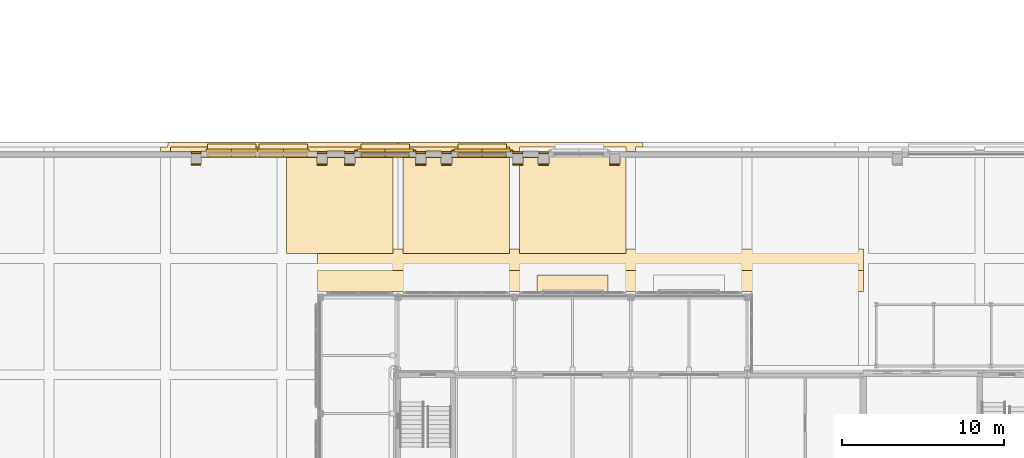
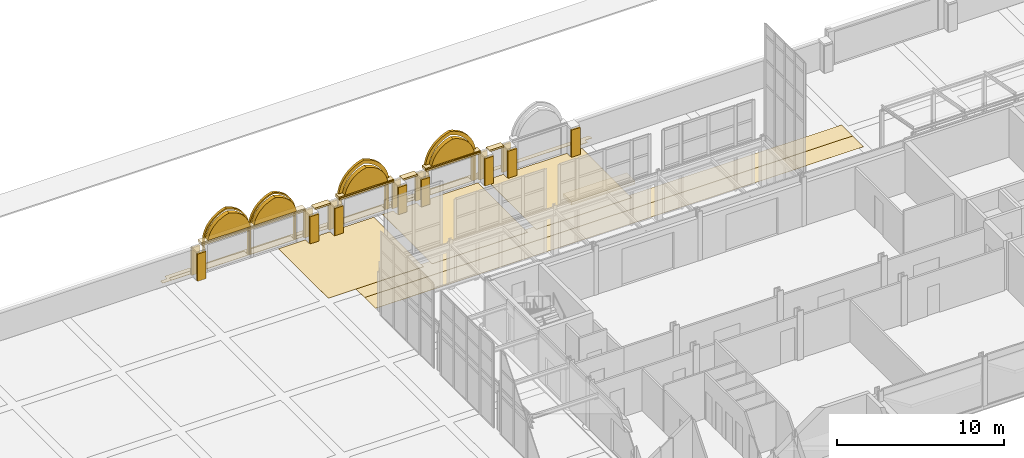
# One storey, part 131 of 143: 47 coverings.
"""IFC4 building model written with IfcOpenShell, lengths in metres."""

from ifc_helpers import new_model, si_unit, direction, frame, origin, origin_2d, place, context, subcontext, project, spatial, polyline, rectangle, outline, extrude, material, layer, layer_set, type_object, element, save


model = new_model("IFC4")

# Units and contexts
model_context = context("Model", 3, precision=1e-05, world=origin(), true_north=direction((0.0, 1.0)))
body_context = subcontext(model_context, "Body", "Model", "MODEL_VIEW")
ifc_project = project(units=[si_unit("LENGTHUNIT", "METRE"), si_unit("AREAUNIT", "SQUARE_METRE"), si_unit("VOLUMEUNIT", "CUBIC_METRE"), si_unit("PLANEANGLEUNIT", "RADIAN"), si_unit("MASSUNIT", "GRAM", prefix="KILO")], contexts=[model_context])

# Site, building, storey
site_placement = place(None, origin())
site = spatial("IfcSite", under=ifc_project, at=site_placement, CompositionType="ELEMENT")
building_placement = place(site_placement, origin())
building = spatial("IfcBuilding", under=site, at=building_placement, Name="Kupolbacken Congress Centre", CompositionType="ELEMENT")
storey_placement = place(building_placement, frame((0.0, 0.0, 7.199951171875)))
storey = spatial("IfcBuildingStorey", under=building, at=storey_placement, Name="L02", CompositionType="ELEMENT", Elevation=7.199951171875)

# Coverings
ifc_material_1 = material(Name="Limestone cladding", Category="masonry")
ifc_layer_1 = layer(ifc_material_1, 0.1201171875)
ifc_layer_set_1 = layer_set([ifc_layer_1], Name="Limestone cladding")
covering_type_1 = type_object("IfcCoveringType", Name="CV1 limestone cladding band 120", PredefinedType="CLADDING", material=ifc_layer_set_1)
covering_1_placement = place(storey_placement, origin())
element("IfcCovering", 1, at=covering_1_placement, inside=storey, type_object=covering_type_1, Name="Gate pier limestone facing", PredefinedType="CLADDING", context=body_context, shape_type="SweptSolid", body=[
    extrude(outline(polyline([(52.0, 157.679931640625), (52.0, 157.800048828125), (52.60009765625, 157.800048828125), (52.60009765625, 157.679931640625), (52.0, 157.679931640625)])), origin(), (0.0, 0.0, 1.0), 2.0),
])
covering_2_placement = place(storey_placement, origin())
element("IfcCovering", 2, at=covering_2_placement, inside=storey, type_object=covering_type_1, Name="Gate pier limestone facing", PredefinedType="CLADDING", context=body_context, shape_type="SweptSolid", body=[
    extrude(outline(polyline([(52.0, 156.9599609375), (52.0, 157.080078125), (52.60009765625, 157.080078125), (52.60009765625, 156.9599609375), (52.0, 156.9599609375)])), origin(), (0.0, 0.0, 1.0), 2.0),
])
covering_3_placement = place(storey_placement, origin())
element("IfcCovering", 3, at=covering_3_placement, inside=storey, type_object=covering_type_1, Name="Gate pier limestone facing", PredefinedType="CLADDING", context=body_context, shape_type="SweptSolid", body=[
    extrude(outline(polyline([(59.800048828125, 157.679931640625), (59.800048828125, 157.800048828125), (60.39990234375, 157.800048828125), (60.39990234375, 157.679931640625), (59.800048828125, 157.679931640625)])), origin(), (0.0, 0.0, 1.0), 2.0),
])
covering_4_placement = place(storey_placement, origin())
element("IfcCovering", 4, at=covering_4_placement, inside=storey, type_object=covering_type_1, Name="Gate pier limestone facing", PredefinedType="CLADDING", context=body_context, shape_type="SweptSolid", body=[
    extrude(outline(polyline([(59.800048828125, 156.9599609375), (59.800048828125, 157.080078125), (60.39990234375, 157.080078125), (60.39990234375, 156.9599609375), (59.800048828125, 156.9599609375)])), origin(), (0.0, 0.0, 1.0), 2.0),
])
covering_5_placement = place(storey_placement, origin())
element("IfcCovering", 5, at=covering_5_placement, inside=storey, type_object=covering_type_1, Name="Gate pier limestone facing", PredefinedType="CLADDING", context=body_context, shape_type="SweptSolid", body=[
    extrude(outline(polyline([(61.5, 157.679931640625), (61.5, 157.800048828125), (62.10009765625, 157.800048828125), (62.10009765625, 157.679931640625), (61.5, 157.679931640625)])), origin(), (0.0, 0.0, 1.0), 2.0),
])
covering_6_placement = place(storey_placement, origin())
element("IfcCovering", 6, at=covering_6_placement, inside=storey, type_object=covering_type_1, Name="Gate pier limestone facing", PredefinedType="CLADDING", context=body_context, shape_type="SweptSolid", body=[
    extrude(outline(polyline([(61.5, 156.9599609375), (61.5, 157.080078125), (62.10009765625, 157.080078125), (62.10009765625, 156.9599609375), (61.5, 156.9599609375)])), origin(), (0.0, 0.0, 1.0), 2.0),
])
covering_7_placement = place(storey_placement, origin())
element("IfcCovering", 7, at=covering_7_placement, inside=storey, type_object=covering_type_1, Name="Gate pier limestone facing", PredefinedType="CLADDING", context=body_context, shape_type="SweptSolid", body=[
    extrude(outline(polyline([(65.89990234375, 157.679931640625), (65.89990234375, 157.800048828125), (66.5, 157.800048828125), (66.5, 157.679931640625), (65.89990234375, 157.679931640625)])), origin(), (0.0, 0.0, 1.0), 2.0),
])
covering_8_placement = place(storey_placement, origin())
element("IfcCovering", 8, at=covering_8_placement, inside=storey, type_object=covering_type_1, Name="Gate pier limestone facing", PredefinedType="CLADDING", context=body_context, shape_type="SweptSolid", body=[
    extrude(outline(polyline([(65.89990234375, 156.9599609375), (65.89990234375, 157.080078125), (66.5, 157.080078125), (66.5, 156.9599609375), (65.89990234375, 156.9599609375)])), origin(), (0.0, 0.0, 1.0), 2.0),
])
covering_9_placement = place(storey_placement, origin())
element("IfcCovering", 9, at=covering_9_placement, inside=storey, type_object=covering_type_1, Name="Gate pier limestone facing", PredefinedType="CLADDING", context=body_context, shape_type="SweptSolid", body=[
    extrude(outline(polyline([(67.5, 157.679931640625), (67.5, 157.800048828125), (68.10009765625, 157.800048828125), (68.10009765625, 157.679931640625), (67.5, 157.679931640625)])), origin(), (0.0, 0.0, 1.0), 2.0),
])
covering_10_placement = place(storey_placement, origin())
element("IfcCovering", 10, at=covering_10_placement, inside=storey, type_object=covering_type_1, Name="Gate pier limestone facing", PredefinedType="CLADDING", context=body_context, shape_type="SweptSolid", body=[
    extrude(outline(polyline([(67.5, 156.9599609375), (67.5, 157.080078125), (68.10009765625, 157.080078125), (68.10009765625, 156.9599609375), (67.5, 156.9599609375)])), origin(), (0.0, 0.0, 1.0), 2.0),
])
covering_11_placement = place(storey_placement, origin())
element("IfcCovering", 11, at=covering_11_placement, inside=storey, type_object=covering_type_1, Name="Gate pier limestone facing", PredefinedType="CLADDING", context=body_context, shape_type="SweptSolid", body=[
    extrude(outline(polyline([(71.89990234375, 157.679931640625), (71.89990234375, 157.800048828125), (72.5, 157.800048828125), (72.5, 157.679931640625), (71.89990234375, 157.679931640625)])), origin(), (0.0, 0.0, 1.0), 2.0),
])
covering_12_placement = place(storey_placement, origin())
element("IfcCovering", 12, at=covering_12_placement, inside=storey, type_object=covering_type_1, Name="Gate pier limestone facing", PredefinedType="CLADDING", context=body_context, shape_type="SweptSolid", body=[
    extrude(outline(polyline([(71.89990234375, 156.9599609375), (71.89990234375, 157.080078125), (72.5, 157.080078125), (72.5, 156.9599609375), (71.89990234375, 156.9599609375)])), origin(), (0.0, 0.0, 1.0), 2.0),
])
covering_13_placement = place(storey_placement, origin())
element("IfcCovering", 13, at=covering_13_placement, inside=storey, type_object=covering_type_1, Name="Gate pier limestone facing", PredefinedType="CLADDING", context=body_context, shape_type="SweptSolid", body=[
    extrude(outline(polyline([(73.5, 157.679931640625), (73.5, 157.800048828125), (74.10009765625, 157.800048828125), (74.10009765625, 157.679931640625), (73.5, 157.679931640625)])), origin(), (0.0, 0.0, 1.0), 2.0),
])
covering_14_placement = place(storey_placement, origin())
element("IfcCovering", 14, at=covering_14_placement, inside=storey, type_object=covering_type_1, Name="Gate pier limestone facing", PredefinedType="CLADDING", context=body_context, shape_type="SweptSolid", body=[
    extrude(outline(polyline([(73.5, 156.9599609375), (73.5, 157.080078125), (74.10009765625, 157.080078125), (74.10009765625, 156.9599609375), (73.5, 156.9599609375)])), origin(), (0.0, 0.0, 1.0), 2.0),
])
covering_15_placement = place(storey_placement, origin())
element("IfcCovering", 15, at=covering_15_placement, inside=storey, type_object=covering_type_1, Name="Gate pier limestone facing", PredefinedType="CLADDING", context=body_context, shape_type="SweptSolid", body=[
    extrude(outline(polyline([(77.89990234375, 156.9599609375), (77.89990234375, 157.080078125), (78.5, 157.080078125), (78.5, 156.9599609375), (77.89990234375, 156.9599609375)])), origin(), (0.0, 0.0, 1.0), 2.0),
])
covering_16_placement = place(storey_placement, frame((0.0, 0.0, 2.10009765625)))
element("IfcCovering", 16, at=covering_16_placement, inside=storey, type_object=covering_type_1, Name="Limestone coping on boundary wall", PredefinedType="CLADDING", context=body_context, shape_type="SweptSolid", body=[
    extrude(outline(polyline([(52.60009765625, 157.449951171875), (52.60009765625, 157.85009765625), (59.800048828125, 157.85009765625), (59.800048828125, 157.449951171875), (52.60009765625, 157.449951171875)])), origin(), (0.0, 0.0, 1.0), 0.119873046875),
])
covering_17_placement = place(storey_placement, frame((0.0, 0.0, 2.0)))
element("IfcCovering", 17, at=covering_17_placement, inside=storey, type_object=covering_type_1, Name="Limestone coping on boundary wall", PredefinedType="CLADDING", context=body_context, shape_type="SweptSolid", body=[
    extrude(outline(polyline([(60.39990234375, 157.449951171875), (60.39990234375, 157.85009765625), (61.5, 157.85009765625), (61.5, 157.449951171875), (60.39990234375, 157.449951171875)])), origin(), (0.0, 0.0, 1.0), 0.1201171875),
])
covering_18_placement = place(storey_placement, frame((0.0, 0.0, 2.10009765625)))
element("IfcCovering", 18, at=covering_18_placement, inside=storey, type_object=covering_type_1, Name="Limestone coping on boundary wall", PredefinedType="CLADDING", context=body_context, shape_type="SweptSolid", body=[
    extrude(outline(polyline([(62.10009765625, 157.449951171875), (62.10009765625, 157.85009765625), (65.89990234375, 157.85009765625), (65.89990234375, 157.449951171875), (62.10009765625, 157.449951171875)])), origin(), (0.0, 0.0, 1.0), 0.119873046875),
])
covering_19_placement = place(storey_placement, frame((0.0, 0.0, 2.0)))
element("IfcCovering", 19, at=covering_19_placement, inside=storey, type_object=covering_type_1, Name="Limestone coping on boundary wall", PredefinedType="CLADDING", context=body_context, shape_type="SweptSolid", body=[
    extrude(outline(polyline([(66.5, 157.449951171875), (66.5, 157.85009765625), (67.5, 157.85009765625), (67.5, 157.449951171875), (66.5, 157.449951171875)])), origin(), (0.0, 0.0, 1.0), 0.1201171875),
])
covering_20_placement = place(storey_placement, frame((0.0, 0.0, 2.10009765625)))
element("IfcCovering", 20, at=covering_20_placement, inside=storey, type_object=covering_type_1, Name="Limestone coping on boundary wall", PredefinedType="CLADDING", context=body_context, shape_type="SweptSolid", body=[
    extrude(outline(polyline([(68.10009765625, 157.449951171875), (68.10009765625, 157.85009765625), (71.89990234375, 157.85009765625), (71.89990234375, 157.449951171875), (68.10009765625, 157.449951171875)])), origin(), (0.0, 0.0, 1.0), 0.119873046875),
])
covering_21_placement = place(storey_placement, frame((0.0, 0.0, 2.0)))
element("IfcCovering", 21, at=covering_21_placement, inside=storey, type_object=covering_type_1, Name="Limestone coping on boundary wall", PredefinedType="CLADDING", context=body_context, shape_type="SweptSolid", body=[
    extrude(outline(polyline([(72.5, 157.449951171875), (72.5, 157.85009765625), (73.5, 157.85009765625), (73.5, 157.449951171875), (72.5, 157.449951171875)])), origin(), (0.0, 0.0, 1.0), 0.1201171875),
])
covering_22_placement = place(storey_placement, frame((75.60009765625, 149.675048828125, 2.800048828125), z_axis=(0.0, 0.0, 1.0), x_axis=(1.0, 0.0, 0.0)))
element("IfcCovering", 22, at=covering_22_placement, inside=storey, type_object=covering_type_1, Name="Entrance canopy", PredefinedType="CLADDING", context=body_context, shape_type="SweptSolid", body=[
    extrude(rectangle(XDim=4.39990234375, YDim=1.0, at=origin_2d()), origin(), (0.0, 0.0, 1.0), 0.25),
])
covering_23_placement = place(storey_placement, frame((56.199951171875, 157.7099609375, 2.10009765625), z_axis=(0.0, 0.0, 1.0), x_axis=(1.0, 0.0, 0.0)))
element("IfcCovering", 23, at=covering_23_placement, inside=storey, type_object=covering_type_1, Name="E/portal/UG3/cap", PredefinedType="CLADDING", context=body_context, shape_type="SweptSolid", body=[
    extrude(rectangle(XDim=7.199951171875, YDim=0.419921875, at=origin_2d()), origin(), (0.0, 0.0, 1.0), 0.199951171875),
])
for number, where, z_axis, x_axis, name in (
    (24, (64.0, 157.7099609375, 2.10009765625), (0.0, 0.0, 1.0), (1.0, 0.0, 0.0), "E/portal/UG2A/cap"),
    (25, (70.0, 157.7099609375, 2.10009765625), (0.0, 0.0, 1.0), (1.0, 0.0, 0.0), "E/portal/UG2B/cap"),
):
    element("IfcCovering", number, at=place(storey_placement, frame(where, z_axis=z_axis, x_axis=x_axis)), inside=storey, type_object=covering_type_1, Name=name, PredefinedType="CLADDING", context=body_context, shape_type="SweptSolid", body=[
        extrude(rectangle(XDim=3.800048828125, YDim=0.419921875, at=origin_2d()), origin(), (0.0, 0.0, 1.0), 0.199951171875),
    ])
ifc_material_2 = material(Name="Brick cladding", Category="masonry")
ifc_layer_2 = layer(ifc_material_2, 0.10791015625)
ifc_layer_set_2 = layer_set([ifc_layer_2], Name="Brick cladding")
covering_type_2 = type_object("IfcCoveringType", Name="CV2 brick cladding band 108", PredefinedType="CLADDING", material=ifc_layer_set_2)
for number, where, z_axis, x_axis, name in (
    (26, (53.0, 157.5, 0.0), (0.0, 1.0, 0.0), (-1.0, 0.0, 0.0), "E/portal/UG3/tympanum1"),
    (27, (56.199951171875, 157.5, 0.0), (0.0, 1.0, 0.0), (-1.0, 0.0, 0.0), "E/portal/UG3/tympanum2"),
    (28, (62.5, 157.5, 0.0), (0.0, 1.0, 0.0), (-1.0, 0.0, 0.0), "E/portal/UG2A/tympanum1"),
    (29, (68.5, 157.5, 0.0), (0.0, 1.0, 0.0), (-1.0, 0.0, 0.0), "E/portal/UG2B/tympanum1"),
):
    element("IfcCovering", number, at=place(storey_placement, frame(where, z_axis=z_axis, x_axis=x_axis)), inside=storey, type_object=covering_type_2, Name=name, PredefinedType="CLADDING", context=body_context, shape_type="SweptSolid", body=[
        extrude(outline(polyline([(-0.035888671875, 2.361328125), (-0.08056640625, 2.53759765625), (-0.142333984375, 2.70849609375), (-0.220703125, 2.872314453125), (-0.314697265625, 3.02783203125), (-0.424072265625, 3.173095703125), (-0.547119140625, 3.306884765625), (-0.6826171875, 3.427978515625), (-0.82958984375, 3.534912109375), (-0.986328125, 3.626953125), (-1.1513671875, 3.702880859375), (-1.3232421875, 3.76220703125), (-1.5, 3.80419921875), (-1.6767578125, 3.76220703125), (-1.8486328125, 3.702880859375), (-2.013671875, 3.626953125), (-2.17041015625, 3.534912109375), (-2.3173828125, 3.427978515625), (-2.452880859375, 3.306884765625), (-2.575927734375, 3.173095703125), (-2.685302734375, 3.02783203125), (-2.779296875, 2.872314453125), (-2.857666015625, 2.70849609375), (-2.91943359375, 2.53759765625), (-2.964111328125, 2.361328125), (-2.973388671875, 2.300048828125), (-0.026611328125, 2.300048828125), (-0.035888671875, 2.361328125)])), origin(), (0.0, 0.0, 1.0), 0.300048828125),
    ])
ifc_material_3 = material(Name="Limestone cladding", Category="masonry")
ifc_layer_3 = layer(ifc_material_3, 0.14990234375)
ifc_layer_set_3 = layer_set([ifc_layer_3], Name="Limestone cladding")
covering_type_3 = type_object("IfcCoveringType", Name="CV4 limestone blind arch frame 150", PredefinedType="CLADDING", material=ifc_layer_set_3)
covering_24_placement = place(storey_placement, frame((52.89990234375, 157.800048828125, 0.0), z_axis=(0.0, 1.0, 0.0), x_axis=(-1.0, 0.0, 0.0)))
element("IfcCovering", 30, at=covering_24_placement, inside=storey, type_object=covering_type_3, Name="E/portal/UG3/arch1", PredefinedType="CLADDING", context=body_context, shape_type="SweptSolid", body=[
    extrude(outline(polyline([(0.0, 0.0), (0.0, 2.0), (-0.009521484375, 2.196533203125), (-0.0380859375, 2.39111328125), (-0.085205078125, 2.582275390625), (-0.15087890625, 2.767578125), (-0.23388671875, 2.946044921875), (-0.333984375, 3.115478515625), (-0.44970703125, 3.2744140625), (-0.58056640625, 3.42138671875), (-0.72509765625, 3.554931640625), (-0.881591796875, 3.674072265625), (-1.049072265625, 3.77734375), (-1.225830078125, 3.864013671875), (-1.409912109375, 3.93310546875), (-1.60009765625, 3.98388671875), (-1.7900390625, 3.93310546875), (-1.97412109375, 3.864013671875), (-2.15087890625, 3.77734375), (-2.318359375, 3.674072265625), (-2.47509765625, 3.554931640625), (-2.619384765625, 3.42138671875), (-2.750244140625, 3.2744140625), (-2.8662109375, 3.115478515625), (-2.966064453125, 2.946044921875), (-3.04931640625, 2.767578125), (-3.11474609375, 2.582275390625), (-3.162109375, 2.39111328125), (-3.1904296875, 2.196533203125), (-3.199951171875, 2.0), (-3.199951171875, 0.0), (-3.10009765625, 0.0), (-3.10009765625, 2.0), (-3.091064453125, 2.185302734375), (-3.064453125, 2.368896484375), (-3.020263671875, 2.549072265625), (-2.958984375, 2.72412109375), (-2.881103515625, 2.892578125), (-2.78759765625, 3.052734375), (-2.67919921875, 3.203125), (-2.556640625, 3.342529296875), (-2.42138671875, 3.469482421875), (-2.2744140625, 3.582763671875), (-2.117431640625, 3.681396484375), (-1.95166015625, 3.7646484375), (-1.778564453125, 3.83154296875), (-1.60009765625, 3.881591796875), (-1.42138671875, 3.83154296875), (-1.248291015625, 3.7646484375), (-1.08251953125, 3.681396484375), (-0.925537109375, 3.582763671875), (-0.778564453125, 3.469482421875), (-0.643310546875, 3.342529296875), (-0.52099609375, 3.203125), (-0.412353515625, 3.052734375), (-0.31884765625, 2.892578125), (-0.240966796875, 2.72412109375), (-0.1796875, 2.549072265625), (-0.135498046875, 2.368896484375), (-0.10888671875, 2.185302734375), (-0.10009765625, 2.0), (-0.10009765625, 0.0), (0.0, 0.0)])), origin(), (0.0, 0.0, 1.0), 0.179931640625),
])
covering_25_placement = place(storey_placement, frame((56.10009765625, 157.800048828125, 0.0), z_axis=(0.0, 1.0, 0.0), x_axis=(-1.0, 0.0, 0.0)))
element("IfcCovering", 31, at=covering_25_placement, inside=storey, type_object=covering_type_3, Name="E/portal/UG3/arch2", PredefinedType="CLADDING", context=body_context, shape_type="SweptSolid", body=[
    extrude(outline(polyline([(0.0, 0.0), (0.0, 2.0), (-0.009521484375, 2.196533203125), (-0.0380859375, 2.39111328125), (-0.085205078125, 2.582275390625), (-0.15087890625, 2.767578125), (-0.23388671875, 2.946044921875), (-0.333984375, 3.115478515625), (-0.44970703125, 3.2744140625), (-0.58056640625, 3.42138671875), (-0.72509765625, 3.554931640625), (-0.881591796875, 3.674072265625), (-1.049072265625, 3.77734375), (-1.225830078125, 3.864013671875), (-1.409912109375, 3.93310546875), (-1.60009765625, 3.98388671875), (-1.7900390625, 3.93310546875), (-1.97412109375, 3.864013671875), (-2.15087890625, 3.77734375), (-2.318359375, 3.674072265625), (-2.47509765625, 3.554931640625), (-2.619384765625, 3.42138671875), (-2.750244140625, 3.2744140625), (-2.8662109375, 3.115478515625), (-2.966064453125, 2.946044921875), (-3.04931640625, 2.767578125), (-3.11474609375, 2.582275390625), (-3.162109375, 2.39111328125), (-3.1904296875, 2.196533203125), (-3.199951171875, 2.0), (-3.199951171875, 0.0), (-3.10009765625, 0.0), (-3.10009765625, 2.0), (-3.091064453125, 2.185302734375), (-3.064453125, 2.368896484375), (-3.020263671875, 2.549072265625), (-2.958984375, 2.72412109375), (-2.881103515625, 2.892578125), (-2.78759765625, 3.052734375), (-2.67919921875, 3.203125), (-2.556640625, 3.342529296875), (-2.42138671875, 3.469482421875), (-2.2744140625, 3.582763671875), (-2.117431640625, 3.681396484375), (-1.95166015625, 3.7646484375), (-1.778564453125, 3.83154296875), (-1.60009765625, 3.881591796875), (-1.42138671875, 3.83154296875), (-1.248291015625, 3.7646484375), (-1.08251953125, 3.681396484375), (-0.925537109375, 3.582763671875), (-0.778564453125, 3.469482421875), (-0.643310546875, 3.342529296875), (-0.52099609375, 3.203125), (-0.412353515625, 3.052734375), (-0.31884765625, 2.892578125), (-0.240966796875, 2.72412109375), (-0.1796875, 2.549072265625), (-0.135498046875, 2.368896484375), (-0.10888671875, 2.185302734375), (-0.10009765625, 2.0), (-0.10009765625, 0.0), (0.0, 0.0)])), origin(), (0.0, 0.0, 1.0), 0.179931640625),
])
covering_26_placement = place(storey_placement, frame((62.25, 157.800048828125, 0.0), z_axis=(0.0, 1.0, 0.0), x_axis=(-1.0, 0.0, 0.0)))
element("IfcCovering", 32, at=covering_26_placement, inside=storey, type_object=covering_type_3, Name="E/portal/UG2A/arch1", PredefinedType="CLADDING", context=body_context, shape_type="SweptSolid", body=[
    extrude(outline(polyline([(0.0, 0.0), (0.0, 2.0), (-0.010498046875, 2.21484375), (-0.04150390625, 2.427978515625), (-0.09326171875, 2.63671875), (-0.164794921875, 2.839599609375), (-0.255859375, 3.03466796875), (-0.365234375, 3.219970703125), (-0.491943359375, 3.393798828125), (-0.635009765625, 3.5546875), (-0.79296875, 3.70068359375), (-0.96435546875, 3.8310546875), (-1.1474609375, 3.944091796875), (-1.3408203125, 4.038818359375), (-1.542236328125, 4.1142578125), (-1.75, 4.169921875), (-1.957763671875, 4.1142578125), (-2.1591796875, 4.038818359375), (-2.3525390625, 3.944091796875), (-2.53564453125, 3.8310546875), (-2.70703125, 3.70068359375), (-2.864990234375, 3.5546875), (-3.008056640625, 3.393798828125), (-3.134765625, 3.219970703125), (-3.244140625, 3.03466796875), (-3.335205078125, 2.839599609375), (-3.40673828125, 2.63671875), (-3.45849609375, 2.427978515625), (-3.489501953125, 2.21484375), (-3.5, 2.0), (-3.5, 0.0), (-3.25, 0.0), (-3.25, 2.0), (-3.2412109375, 2.18701171875), (-3.214599609375, 2.3720703125), (-3.17041015625, 2.553955078125), (-3.109619140625, 2.730712890625), (-3.031982421875, 2.90087890625), (-2.938720703125, 3.06298828125), (-2.830322265625, 3.215576171875), (-2.7080078125, 3.357177734375), (-2.572998046875, 3.486572265625), (-2.426025390625, 3.6025390625), (-2.268798828125, 3.7041015625), (-2.102783203125, 3.790283203125), (-1.92919921875, 3.860107421875), (-1.75, 3.913330078125), (-1.57080078125, 3.860107421875), (-1.397216796875, 3.790283203125), (-1.231201171875, 3.7041015625), (-1.073974609375, 3.6025390625), (-0.927001953125, 3.486572265625), (-0.7919921875, 3.357177734375), (-0.669677734375, 3.215576171875), (-0.561279296875, 3.06298828125), (-0.468017578125, 2.90087890625), (-0.390380859375, 2.730712890625), (-0.32958984375, 2.553955078125), (-0.285400390625, 2.3720703125), (-0.2587890625, 2.18701171875), (-0.25, 2.0), (-0.25, 0.0), (0.0, 0.0)])), origin(), (0.0, 0.0, 1.0), 0.179931640625),
])
covering_27_placement = place(storey_placement, frame((68.25, 157.800048828125, 0.0), z_axis=(0.0, 1.0, 0.0), x_axis=(-1.0, 0.0, 0.0)))
element("IfcCovering", 33, at=covering_27_placement, inside=storey, type_object=covering_type_3, Name="E/portal/UG2B/arch1", PredefinedType="CLADDING", context=body_context, shape_type="SweptSolid", body=[
    extrude(outline(polyline([(0.0, 0.0), (0.0, 2.0), (-0.010498046875, 2.21484375), (-0.04150390625, 2.427978515625), (-0.09326171875, 2.63671875), (-0.164794921875, 2.839599609375), (-0.255859375, 3.03466796875), (-0.365234375, 3.219970703125), (-0.491943359375, 3.393798828125), (-0.635009765625, 3.5546875), (-0.79296875, 3.70068359375), (-0.96435546875, 3.8310546875), (-1.1474609375, 3.944091796875), (-1.3408203125, 4.038818359375), (-1.542236328125, 4.1142578125), (-1.75, 4.169921875), (-1.957763671875, 4.1142578125), (-2.1591796875, 4.038818359375), (-2.3525390625, 3.944091796875), (-2.53564453125, 3.8310546875), (-2.70703125, 3.70068359375), (-2.864990234375, 3.5546875), (-3.008056640625, 3.393798828125), (-3.134765625, 3.219970703125), (-3.244140625, 3.03466796875), (-3.335205078125, 2.839599609375), (-3.40673828125, 2.63671875), (-3.45849609375, 2.427978515625), (-3.489501953125, 2.21484375), (-3.5, 2.0), (-3.5, 0.0), (-3.25, 0.0), (-3.25, 2.0), (-3.2412109375, 2.18701171875), (-3.214599609375, 2.3720703125), (-3.17041015625, 2.553955078125), (-3.109619140625, 2.730712890625), (-3.031982421875, 2.90087890625), (-2.938720703125, 3.06298828125), (-2.830322265625, 3.215576171875), (-2.7080078125, 3.357177734375), (-2.572998046875, 3.486572265625), (-2.426025390625, 3.6025390625), (-2.268798828125, 3.7041015625), (-2.102783203125, 3.790283203125), (-1.92919921875, 3.860107421875), (-1.75, 3.913330078125), (-1.57080078125, 3.860107421875), (-1.397216796875, 3.790283203125), (-1.231201171875, 3.7041015625), (-1.073974609375, 3.6025390625), (-0.927001953125, 3.486572265625), (-0.7919921875, 3.357177734375), (-0.669677734375, 3.215576171875), (-0.561279296875, 3.06298828125), (-0.468017578125, 2.90087890625), (-0.390380859375, 2.730712890625), (-0.32958984375, 2.553955078125), (-0.285400390625, 2.3720703125), (-0.2587890625, 2.18701171875), (-0.25, 2.0), (-0.25, 0.0), (0.0, 0.0)])), origin(), (0.0, 0.0, 1.0), 0.179931640625),
])
ifc_material_4 = material(Name="Limestone cladding", Category="masonry")
ifc_layer_4 = layer(ifc_material_4, 0.02001953125)
ifc_layer_set_4 = layer_set([ifc_layer_4], Name="Limestone cladding")
covering_type_4 = type_object("IfcCoveringType", Name="GF1 limestone paving 20", PredefinedType="FLOORING", material=ifc_layer_set_4)
covering_28_placement = place(storey_placement, origin())
element("IfcCovering", 34, at=covering_28_placement, inside=storey, type_object=covering_type_4, Name="Forecourt limestone paving", PredefinedType="FLOORING", context=body_context, shape_type="SweptSolid", body=[
    extrude(outline(polyline([(62.070068359375, 157.802001953125), (61.530029296875, 157.802001953125), (61.530029296875, 157.830078125), (60.3701171875, 157.830078125), (60.3701171875, 157.802001953125), (59.830078125, 157.802001953125), (59.830078125, 157.830078125), (57.89990234375, 157.830078125), (57.89990234375, 158.10009765625), (64.5, 158.10009765625), (64.5, 157.830078125), (62.070068359375, 157.830078125), (62.070068359375, 157.802001953125)])), origin(), (0.0, 0.0, 1.0), 0.02001953125),
])
covering_29_placement = place(storey_placement, origin())
element("IfcCovering", 35, at=covering_29_placement, inside=storey, type_object=covering_type_4, Name="Forecourt limestone paving", PredefinedType="FLOORING", context=body_context, shape_type="SweptSolid", body=[
    extrude(outline(polyline([(52.570068359375, 157.830078125), (52.570068359375, 157.802001953125), (52.030029296875, 157.802001953125), (52.030029296875, 157.830078125), (50.699951171875, 157.830078125), (50.699951171875, 158.10009765625), (57.300048828125, 158.10009765625), (57.300048828125, 157.830078125), (52.570068359375, 157.830078125)])), origin(), (0.0, 0.0, 1.0), 0.02001953125),
])
covering_30_placement = place(storey_placement, origin())
element("IfcCovering", 36, at=covering_30_placement, inside=storey, type_object=covering_type_4, Name="Forecourt limestone paving", PredefinedType="FLOORING", context=body_context, shape_type="SweptSolid", body=[
    extrude(outline(polyline([(59.77001953125, 157.469970703125), (59.77001953125, 157.050048828125), (59.798095703125, 157.050048828125), (59.798095703125, 156.9580078125), (60.402099609375, 156.9580078125), (60.402099609375, 157.050048828125), (60.429931640625, 157.050048828125), (60.429931640625, 157.469970703125), (61.469970703125, 157.469970703125), (61.469970703125, 157.050048828125), (61.498046875, 157.050048828125), (61.498046875, 156.9580078125), (62.10205078125, 156.9580078125), (62.10205078125, 157.050048828125), (62.1298828125, 157.050048828125), (62.1298828125, 157.469970703125), (64.5, 157.469970703125), (64.5, 151.5), (57.89990234375, 151.5), (57.89990234375, 157.469970703125), (59.77001953125, 157.469970703125)])), origin(), (0.0, 0.0, 1.0), 0.02001953125),
])
covering_31_placement = place(storey_placement, origin())
element("IfcCovering", 37, at=covering_31_placement, inside=storey, type_object=covering_type_4, Name="Arrival deck limestone paving", PredefinedType="FLOORING", context=body_context, shape_type="SweptSolid", body=[
    extrude(outline(polyline([(68.070068359375, 157.830078125), (68.070068359375, 157.802001953125), (67.530029296875, 157.802001953125), (67.530029296875, 157.830078125), (66.469970703125, 157.830078125), (66.469970703125, 157.802001953125), (65.929931640625, 157.802001953125), (65.929931640625, 157.830078125), (65.10009765625, 157.830078125), (65.10009765625, 158.10009765625), (71.699951171875, 158.10009765625), (71.699951171875, 157.830078125), (68.070068359375, 157.830078125)])), origin(), (0.0, 0.0, 1.0), 0.02001953125),
])
covering_32_placement = place(storey_placement, origin())
element("IfcCovering", 38, at=covering_32_placement, inside=storey, type_object=covering_type_4, Name="Arrival deck limestone paving", PredefinedType="FLOORING", context=body_context, shape_type="SweptSolid", body=[
    extrude(outline(polyline([(65.8701171875, 157.469970703125), (65.8701171875, 157.050048828125), (65.89794921875, 157.050048828125), (65.89794921875, 156.9580078125), (66.501953125, 156.9580078125), (66.501953125, 157.050048828125), (66.530029296875, 157.050048828125), (66.530029296875, 157.469970703125), (67.469970703125, 157.469970703125), (67.469970703125, 157.050048828125), (67.498046875, 157.050048828125), (67.498046875, 156.9580078125), (68.10205078125, 156.9580078125), (68.10205078125, 157.050048828125), (68.1298828125, 157.050048828125), (68.1298828125, 157.469970703125), (71.699951171875, 157.469970703125), (71.699951171875, 151.5), (65.10009765625, 151.5), (65.10009765625, 157.469970703125), (65.8701171875, 157.469970703125)])), origin(), (0.0, 0.0, 1.0), 0.02001953125),
])
covering_33_placement = place(storey_placement, origin())
element("IfcCovering", 39, at=covering_33_placement, inside=storey, type_object=covering_type_4, Name="Arrival deck limestone paving", PredefinedType="FLOORING", context=body_context, shape_type="SweptSolid", body=[
    extrude(outline(polyline([(72.501953125, 156.9580078125), (72.501953125, 157.050048828125), (72.530029296875, 157.050048828125), (72.530029296875, 157.469970703125), (73.469970703125, 157.469970703125), (73.469970703125, 157.050048828125), (73.498046875, 157.050048828125), (73.498046875, 156.9580078125), (74.10205078125, 156.9580078125), (74.10205078125, 157.050048828125), (74.1298828125, 157.050048828125), (74.1298828125, 157.469970703125), (77.8701171875, 157.469970703125), (77.8701171875, 157.050048828125), (77.89794921875, 157.050048828125), (77.89794921875, 156.9580078125), (78.501953125, 156.9580078125), (78.501953125, 157.050048828125), (78.530029296875, 157.050048828125), (78.530029296875, 157.469970703125), (78.89990234375, 157.469970703125), (78.89990234375, 151.5), (72.300048828125, 151.5), (72.300048828125, 156.9580078125), (72.501953125, 156.9580078125)])), origin(), (0.0, 0.0, 1.0), 0.02001953125),
])
covering_34_placement = place(storey_placement, frame((76.7099609375, 149.820068359375, 0.0), z_axis=(0.0, 0.0, 1.0), x_axis=(1.0, 0.0, 0.0)))
element("IfcCovering", 40, at=covering_34_placement, inside=storey, type_object=covering_type_4, Name="E/T/paving/apronA", PredefinedType="FLOORING", context=body_context, shape_type="SweptSolid", body=[
    extrude(rectangle(XDim=33.780029296875, YDim=1.300048828125, at=origin_2d()), origin(), (0.0, 0.0, 1.0), 0.02001953125),
])
covering_35_placement = place(storey_placement, frame((76.7099609375, 151.135009765625, 0.0), z_axis=(0.0, 0.0, 1.0), x_axis=(1.0, 0.0, 0.0)))
element("IfcCovering", 41, at=covering_35_placement, inside=storey, type_object=covering_type_4, Name="E/T/paving/apronB", PredefinedType="FLOORING", context=body_context, shape_type="SweptSolid", body=[
    extrude(rectangle(XDim=33.780029296875, YDim=1.330078125, at=origin_2d()), origin(), (0.0, 0.0, 1.0), 0.02001953125),
])
for number, where, z_axis, x_axis, name in (
    (42, (54.5, 158.050048828125, 0.0), (0.0, 0.0, 1.0), (1.0, 0.0, 0.0), "E/portal/UG3/threshold1"),
    (43, (57.699951171875, 158.050048828125, 0.0), (0.0, 0.0, 1.0), (1.0, 0.0, 0.0), "E/portal/UG3/threshold2"),
    (44, (64.0, 158.050048828125, 0.0), (0.0, 0.0, 1.0), (1.0, 0.0, 0.0), "E/portal/UG2A/threshold1"),
    (45, (70.0, 158.050048828125, 0.0), (0.0, 0.0, 1.0), (1.0, 0.0, 0.0), "E/portal/UG2B/threshold1"),
):
    element("IfcCovering", number, at=place(storey_placement, frame(where, z_axis=z_axis, x_axis=x_axis)), inside=storey, type_object=covering_type_4, Name=name, PredefinedType="FLOORING", context=body_context, shape_type="SweptSolid", body=[
        extrude(rectangle(XDim=3.0, YDim=0.5, at=origin_2d()), origin(), (0.0, 0.0, 1.0), 0.02001953125),
    ])
ifc_material_5 = material(Name="Brick", Category="masonry")
ifc_layer_5 = layer(ifc_material_5, 0.02001953125)
ifc_layer_set_5 = layer_set([ifc_layer_5], Name="Brick")
covering_type_5 = type_object("IfcCoveringType", Name="GF2 brick paving 20", PredefinedType="FLOORING", material=ifc_layer_set_5)
covering_36_placement = place(storey_placement, origin())
element("IfcCovering", 46, at=covering_36_placement, inside=storey, type_object=covering_type_5, Name="Forecourt paving band", PredefinedType="FLOORING", context=body_context, shape_type="SweptSolid", body=[
    extrude(outline(polyline([(50.10009765625, 158.09912109375), (50.527587890625, 158.09912109375), (50.572021484375, 158.39697265625), (64.798095703125, 158.39697265625), (64.798095703125, 157.830078125), (64.5, 157.830078125), (64.5, 158.10009765625), (57.89990234375, 158.10009765625), (57.89990234375, 157.830078125), (57.300048828125, 157.830078125), (57.300048828125, 158.10009765625), (50.699951171875, 158.10009765625), (50.699951171875, 157.830078125), (50.10009765625, 157.830078125), (50.10009765625, 158.09912109375)])), origin(), (0.0, 0.0, 1.0), 0.02001953125),
])
covering_37_placement = place(storey_placement, origin())
element("IfcCovering", 47, at=covering_37_placement, inside=storey, type_object=covering_type_5, Name="Arrival paving band", PredefinedType="FLOORING", context=body_context, shape_type="SweptSolid", body=[
    extrude(outline(polyline([(71.699951171875, 158.10009765625), (65.10009765625, 158.10009765625), (65.10009765625, 157.830078125), (64.802001953125, 157.830078125), (64.802001953125, 158.39697265625), (79.927978515625, 158.39697265625), (79.97216796875, 158.10009765625), (79.5, 158.10009765625), (79.5, 157.830078125), (78.89990234375, 157.830078125), (78.89990234375, 158.10009765625), (72.300048828125, 158.10009765625), (72.300048828125, 157.802001953125), (71.929931640625, 157.802001953125), (71.929931640625, 157.830078125), (71.699951171875, 157.830078125), (71.699951171875, 158.10009765625)])), origin(), (0.0, 0.0, 1.0), 0.02001953125),
])

save(model, "model.ifc")
